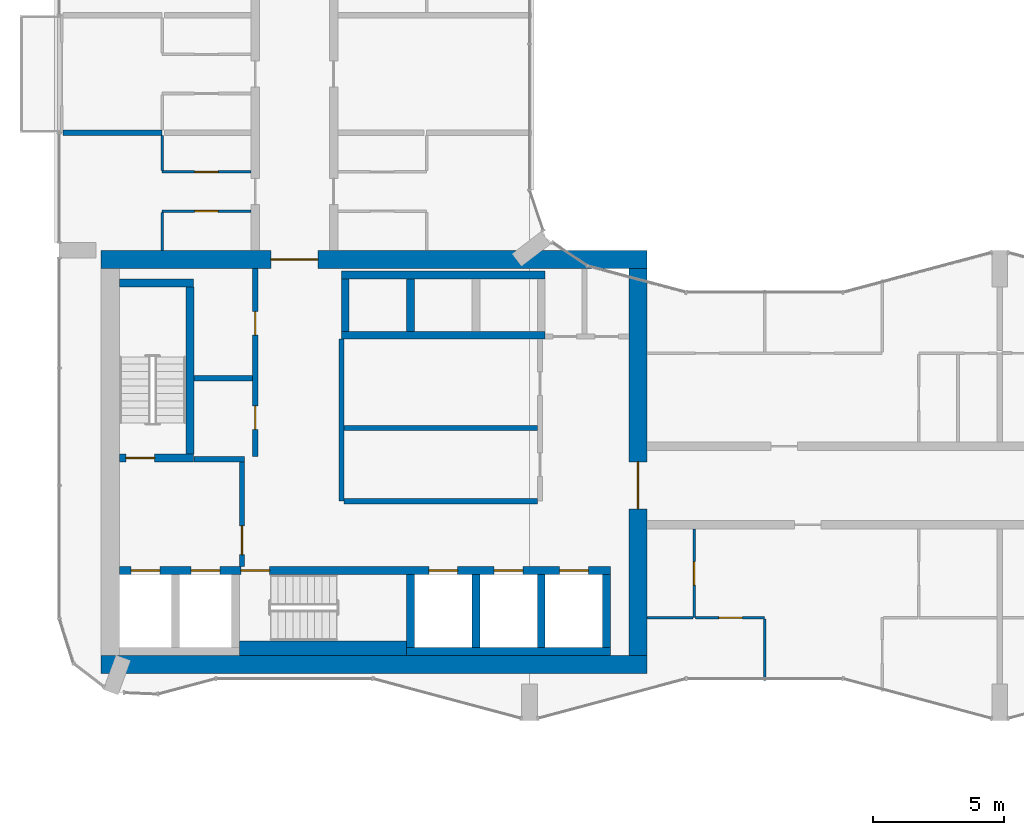
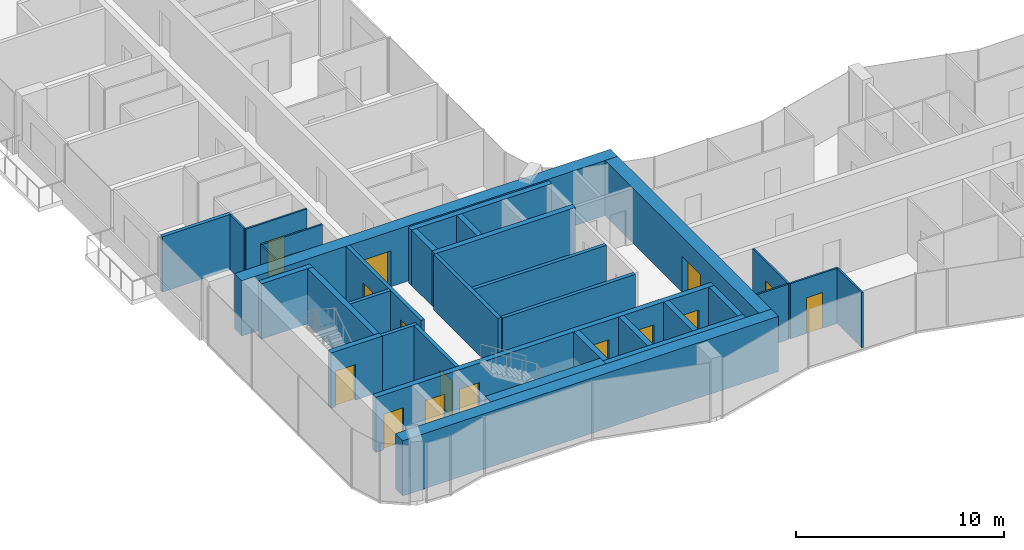
# One storey, part 13 of 23: 33 walls, 16 doors, 16 openings.
"""IFC4 building model written with IfcOpenShell, lengths in metres."""

from ifc_helpers import new_model, si_unit, direction, frame, frame_2d, origin, place, context, subcontext, project, spatial, rectangle, extrude, material, layer, layer_set, type_object, element, fill, save


model = new_model("IFC4")

# Units and contexts
model_context = context("Model", 3, precision=1e-05, world=origin(), true_north=direction((0.0, 1.0)))
body_context = subcontext(model_context, "Body", "Model", "MODEL_VIEW")
ifc_project = project(units=[si_unit("LENGTHUNIT", "METRE"), si_unit("AREAUNIT", "SQUARE_METRE"), si_unit("VOLUMEUNIT", "CUBIC_METRE"), si_unit("PLANEANGLEUNIT", "RADIAN"), si_unit("MASSUNIT", "GRAM", prefix="KILO")], contexts=[model_context])

# Site, building, storey
site_placement = place(None, origin())
site = spatial("IfcSite", under=ifc_project, at=site_placement, CompositionType="ELEMENT")
building_placement = place(site_placement, origin())
building = spatial("IfcBuilding", under=site, at=building_placement, Name="Plateau Cross Towers", CompositionType="ELEMENT")
storey_placement = place(building_placement, frame((0.0, 0.0, 92.300048828125)))
storey = spatial("IfcBuildingStorey", under=building, at=storey_placement, Name="L23", CompositionType="ELEMENT", Elevation=92.300048828125)

# Wall, opening, door
ifc_material_1 = material(Name="Concrete block, plastered both sides", Category="concrete")
ifc_layer_1 = layer(ifc_material_1, 0.199951171875)
ifc_layer_set_1 = layer_set([ifc_layer_1], Name="Concrete block, plastered both sides")
wall_type_1 = type_object("IfcWallType", Name="Core partition 200", PredefinedType="PARTITIONING", material=ifc_layer_set_1)
wall_1_placement = place(storey_placement, frame((7.0, 5.89990234375, 0.0), z_axis=(0.0, 0.0, 1.0), x_axis=(0.0, 1.0, 0.0)))
wall_1 = element("IfcWall", 1, at=wall_1_placement, inside=storey, type_object=wall_type_1, Name="Core partition", PredefinedType="PARTITIONING", context=body_context, shape_type="SweptSolid", body=[
    extrude(rectangle(XDim=4.0, YDim=0.199951171875, at=frame_2d((2.0, 0.0))), origin(), (0.0, 0.0, 1.0), 3.25),
])
opening_1_placement = place(wall_1_placement, frame((0.449951171875, 0.0, 0.0)))
opening_1 = element("IfcOpeningElement", 2, at=opening_1_placement, cuts=wall_1, Name="Opening FFD", PredefinedType="OPENING", context=body_context, shape_type="SweptSolid", body=[
    extrude(rectangle(XDim=1.10009765625, YDim=2.10009765625, at=frame_2d((0.550048828125, 1.050048828125))), frame((0.0, 0.10986328125, 0.0), z_axis=(0.0, -1.0, 0.0), x_axis=(1.0, 0.0, 0.0)), (0.0, 0.0, 1.0), 0.219970703125),
])
ifc_material_2 = material(Name="Steel, fire-resisting leaf", Category="steel")
door_type_1 = type_object("IfcDoorType", Name="Firefighting lobby door 1100", OperationType="NOTDEFINED", PredefinedType="DOOR", material=ifc_material_2)
door_1_placement = place(opening_1_placement, origin())
door_1 = element("IfcDoor", 3, at=door_1_placement, inside=storey, type_object=door_type_1, Name="Firefighting lobby door FFD", OperationType="SINGLE_SWING_LEFT", OverallHeight=2.10009765625, OverallWidth=1.10009765625, PredefinedType="DOOR", context=body_context, shape_type="SweptSolid", body=[
    extrude(rectangle(XDim=1.10009765625, YDim=2.10009765625, at=frame_2d((0.550048828125, 1.050048828125))), frame((0.0, 0.02490234375, 0.0), z_axis=(0.0, -1.0, 0.0), x_axis=(1.0, 0.0, 0.0)), (0.0, 0.0, 1.0), 0.050048828125),
])
fill(opening_1, door_1)

# Walls
wall_2_placement = place(storey_placement, frame((5.14990234375, 10.0, 0.0), z_axis=(0.0, 0.0, 1.0), x_axis=(1.0, 0.0, 0.0)))
element("IfcWall", 4, at=wall_2_placement, inside=storey, type_object=wall_type_1, Name="Core partition", PredefinedType="PARTITIONING", context=body_context, shape_type="SweptSolid", body=[
    extrude(rectangle(XDim=1.9501953125, YDim=0.199951171875, at=frame_2d((0.97509765625, 0.0))), origin(), (0.0, 0.0, 1.0), 3.25),
])
wall_3_placement = place(storey_placement, frame((10.800048828125, 8.39990234375, 0.0), z_axis=(0.0, 0.0, 1.0), x_axis=(0.0, 1.0, 0.0)))
element("IfcWall", 5, at=wall_3_placement, inside=storey, type_object=wall_type_1, Name="Core partition", PredefinedType="PARTITIONING", context=body_context, shape_type="SweptSolid", body=[
    extrude(rectangle(XDim=6.2001953125, YDim=0.199951171875, at=frame_2d((3.10009765625, 0.0))), origin(), (0.0, 0.0, 1.0), 3.25),
])
for number, where, z_axis, x_axis, name in (
    (6, (10.89990234375, 8.39990234375, 0.0), (0.0, 0.0, 1.0), (1.0, 0.0, 0.0), "Core partition"),
    (7, (10.89990234375, 11.199951171875, 0.0), (0.0, 0.0, 1.0), (1.0, 0.0, 0.0), "Core partition"),
):
    element("IfcWall", number, at=place(storey_placement, frame(where, z_axis=z_axis, x_axis=x_axis)), inside=storey, type_object=wall_type_1, Name=name, PredefinedType="PARTITIONING", context=body_context, shape_type="SweptSolid", body=[
        extrude(rectangle(XDim=7.400146484375, YDim=0.199951171875, at=frame_2d((3.7001953125, 0.0))), origin(), (0.0, 0.0, 1.0), 3.25),
    ])

# Wall, openings, doors
wall_4_placement = place(storey_placement, frame((7.5, 10.10009765625, 0.0), z_axis=(0.0, 0.0, 1.0), x_axis=(0.0, 1.0, 0.0)))
wall_4 = element("IfcWall", 8, at=wall_4_placement, inside=storey, type_object=wall_type_1, Name="Core partition", PredefinedType="PARTITIONING", context=body_context, shape_type="SweptSolid", body=[
    extrude(rectangle(XDim=7.199951171875, YDim=0.199951171875, at=frame_2d((3.60009765625, 0.0))), origin(), (0.0, 0.0, 1.0), 3.25),
])
opening_2_placement = place(wall_4_placement, frame((1.050048828125, 0.0, 0.0)))
opening_2 = element("IfcOpeningElement", 9, at=opening_2_placement, cuts=wall_4, Name="Opening RD1", PredefinedType="OPENING", context=body_context, shape_type="SweptSolid", body=[
    extrude(rectangle(XDim=0.89990234375, YDim=2.10009765625, at=frame_2d((0.449951171875, 1.050048828125))), frame((0.0, 0.10986328125, 0.0), z_axis=(0.0, -1.0, 0.0), x_axis=(1.0, 0.0, 0.0)), (0.0, 0.0, 1.0), 0.219970703125),
])
opening_3_placement = place(wall_4_placement, frame((4.64990234375, 0.0, 0.0)))
opening_3 = element("IfcOpeningElement", 10, at=opening_3_placement, cuts=wall_4, Name="Opening RD1", PredefinedType="OPENING", context=body_context, shape_type="SweptSolid", body=[
    extrude(rectangle(XDim=0.89990234375, YDim=2.10009765625, at=frame_2d((0.449951171875, 1.050048828125))), frame((0.0, 0.10986328125, 0.0), z_axis=(0.0, -1.0, 0.0), x_axis=(1.0, 0.0, 0.0)), (0.0, 0.0, 1.0), 0.219970703125),
])
ifc_material_3 = material(Name="Timber, fire-resisting leaf", Category="wood")
door_type_2 = type_object("IfcDoorType", Name="Core service door 900", OperationType="NOTDEFINED", PredefinedType="DOOR", material=ifc_material_3)
door_2_placement = place(opening_2_placement, origin())
door_2 = element("IfcDoor", 11, at=door_2_placement, inside=storey, type_object=door_type_2, Name="Core service door RD1", OperationType="SINGLE_SWING_RIGHT", OverallHeight=2.10009765625, OverallWidth=0.89990234375, PredefinedType="DOOR", context=body_context, shape_type="SweptSolid", body=[
    extrude(rectangle(XDim=0.89990234375, YDim=2.10009765625, at=frame_2d((0.449951171875, 1.050048828125))), frame((0.0, 0.02490234375, 0.0), z_axis=(0.0, -1.0, 0.0), x_axis=(1.0, 0.0, 0.0)), (0.0, 0.0, 1.0), 0.050048828125),
])
fill(opening_2, door_2)
door_3_placement = place(opening_3_placement, origin())
door_3 = element("IfcDoor", 12, at=door_3_placement, inside=storey, type_object=door_type_2, Name="Core service door RD1", OperationType="SINGLE_SWING_RIGHT", OverallHeight=2.10009765625, OverallWidth=0.89990234375, PredefinedType="DOOR", context=body_context, shape_type="SweptSolid", body=[
    extrude(rectangle(XDim=0.89990234375, YDim=2.10009765625, at=frame_2d((0.449951171875, 1.050048828125))), frame((0.0, 0.02490234375, 0.0), z_axis=(0.0, -1.0, 0.0), x_axis=(1.0, 0.0, 0.0)), (0.0, 0.0, 1.0), 0.050048828125),
])
fill(opening_3, door_3)

# Walls
wall_5_placement = place(storey_placement, frame((5.14990234375, 13.10009765625, 0.0), z_axis=(0.0, 0.0, 1.0), x_axis=(1.0, 0.0, 0.0)))
element("IfcWall", 13, at=wall_5_placement, inside=storey, type_object=wall_type_1, Name="Core partition", PredefinedType="PARTITIONING", context=body_context, shape_type="SweptSolid", body=[
    extrude(rectangle(XDim=2.25, YDim=0.199951171875, at=frame_2d((1.125, 0.0))), origin(), (0.0, 0.0, 1.0), 3.25),
])
ifc_material_4 = material(Name="Concrete C60/75", Category="concrete")
ifc_layer_2 = layer(ifc_material_4, 0.300048828125)
ifc_layer_set_2 = layer_set([ifc_layer_2], Name="Concrete C60/75")
wall_type_2 = type_object("IfcWallType", Name="Core shaft wall 300", PredefinedType="SHEAR", material=ifc_layer_set_2)
wall_6_placement = place(storey_placement, frame((13.300048828125, 2.64990234375, 0.0), z_axis=(0.0, 0.0, 1.0), x_axis=(1.0, 0.0, 0.0)))
element("IfcWall", 14, at=wall_6_placement, inside=storey, type_object=wall_type_2, Name="A-sb-back3@L23", PredefinedType="SHEAR", context=body_context, shape_type="SweptSolid", body=[
    extrude(rectangle(XDim=7.800048828125, YDim=0.300048828125, at=frame_2d((3.89990234375, 0.0))), origin(), (0.0, 0.0, 1.0), 3.25),
])
for number, where, z_axis, x_axis, name in (
    (15, (13.449951171875, 2.800048828125, 0.0), (0.0, 0.0, 1.0), (0.0, 1.0, 0.0), "A-sb-v3@L23"),
    (16, (15.949951171875, 2.800048828125, 0.0), (0.0, 0.0, 1.0), (0.0, 1.0, 0.0), "A-sb-v4@L23"),
    (17, (18.449951171875, 2.800048828125, 0.0), (0.0, 0.0, 1.0), (0.0, 1.0, 0.0), "A-sb-v5@L23"),
    (18, (20.949951171875, 2.800048828125, 0.0), (0.0, 0.0, 1.0), (0.0, 1.0, 0.0), "A-sb-v6@L23"),
):
    element("IfcWall", number, at=place(storey_placement, frame(where, z_axis=z_axis, x_axis=x_axis)), inside=storey, type_object=wall_type_2, Name=name, PredefinedType="SHEAR", context=body_context, shape_type="SweptSolid", body=[
        extrude(rectangle(XDim=2.800048828125, YDim=0.300048828125, at=frame_2d((1.39990234375, 0.0))), origin(), (0.0, 0.0, 1.0), 3.25),
    ])

# Wall, openings, doors
wall_7_placement = place(storey_placement, frame((2.300048828125, 5.75, 0.0), z_axis=(0.0, 0.0, 1.0), x_axis=(1.0, 0.0, 0.0)))
wall_7 = element("IfcWall", 19, at=wall_7_placement, inside=storey, type_object=wall_type_2, Name="A-sb-front@L23", PredefinedType="SHEAR", context=body_context, shape_type="SweptSolid", body=[
    extrude(rectangle(XDim=18.800048828125, YDim=0.300048828125, at=frame_2d((9.39990234375, 0.0))), origin(), (0.0, 0.0, 1.0), 3.25),
])
opening_4_placement = place(wall_7_placement, frame((4.64990234375, 0.0, 0.0)))
opening_4 = element("IfcOpeningElement", 20, at=opening_4_placement, cuts=wall_7, Name="Opening SD", PredefinedType="OPENING", context=body_context, shape_type="SweptSolid", body=[
    extrude(rectangle(XDim=1.10009765625, YDim=2.10009765625, at=frame_2d((0.550048828125, 1.050048828125))), frame((0.0, 0.159912109375, 0.0), z_axis=(0.0, -1.0, 0.0), x_axis=(1.0, 0.0, 0.0)), (0.0, 0.0, 1.0), 0.320068359375),
])
opening_5_placement = place(wall_7_placement, frame((0.449951171875, 0.0, 0.0)))
opening_5 = element("IfcOpeningElement", 21, at=opening_5_placement, cuts=wall_7, Name="Opening LD", PredefinedType="OPENING", context=body_context, shape_type="SweptSolid", body=[
    extrude(rectangle(XDim=1.10009765625, YDim=2.10009765625, at=frame_2d((0.550048828125, 1.050048828125))), frame((0.0, 0.159912109375, 0.0), z_axis=(0.0, -1.0, 0.0), x_axis=(1.0, 0.0, 0.0)), (0.0, 0.0, 1.0), 0.320068359375),
])
opening_6_placement = place(wall_7_placement, frame((2.75, 0.0, 0.0)))
opening_6 = element("IfcOpeningElement", 22, at=opening_6_placement, cuts=wall_7, Name="Opening LD", PredefinedType="OPENING", context=body_context, shape_type="SweptSolid", body=[
    extrude(rectangle(XDim=1.10009765625, YDim=2.10009765625, at=frame_2d((0.550048828125, 1.050048828125))), frame((0.0, 0.159912109375, 0.0), z_axis=(0.0, -1.0, 0.0), x_axis=(1.0, 0.0, 0.0)), (0.0, 0.0, 1.0), 0.320068359375),
])
opening_7_placement = place(wall_7_placement, frame((11.85009765625, 0.0, 0.0)))
opening_7 = element("IfcOpeningElement", 23, at=opening_7_placement, cuts=wall_7, Name="Opening LD", PredefinedType="OPENING", context=body_context, shape_type="SweptSolid", body=[
    extrude(rectangle(XDim=1.10009765625, YDim=2.10009765625, at=frame_2d((0.550048828125, 1.050048828125))), frame((0.0, 0.159912109375, 0.0), z_axis=(0.0, -1.0, 0.0), x_axis=(1.0, 0.0, 0.0)), (0.0, 0.0, 1.0), 0.320068359375),
])
opening_8_placement = place(wall_7_placement, frame((14.35009765625, 0.0, 0.0)))
opening_8 = element("IfcOpeningElement", 24, at=opening_8_placement, cuts=wall_7, Name="Opening LD", PredefinedType="OPENING", context=body_context, shape_type="SweptSolid", body=[
    extrude(rectangle(XDim=1.10009765625, YDim=2.10009765625, at=frame_2d((0.550048828125, 1.050048828125))), frame((0.0, 0.159912109375, 0.0), z_axis=(0.0, -1.0, 0.0), x_axis=(1.0, 0.0, 0.0)), (0.0, 0.0, 1.0), 0.320068359375),
])
opening_9_placement = place(wall_7_placement, frame((16.85009765625, 0.0, 0.0)))
opening_9 = element("IfcOpeningElement", 25, at=opening_9_placement, cuts=wall_7, Name="Opening LD", PredefinedType="OPENING", context=body_context, shape_type="SweptSolid", body=[
    extrude(rectangle(XDim=1.10009765625, YDim=2.10009765625, at=frame_2d((0.550048828125, 1.050048828125))), frame((0.0, 0.159912109375, 0.0), z_axis=(0.0, -1.0, 0.0), x_axis=(1.0, 0.0, 0.0)), (0.0, 0.0, 1.0), 0.320068359375),
])
ifc_material_5 = material(Name="Stainless steel, fire-resisting sliding leaves", Category="steel")
door_type_3 = type_object("IfcDoorType", Name="Lift landing door 1100", OperationType="NOTDEFINED", PredefinedType="DOOR", material=ifc_material_5)
door_4_placement = place(opening_5_placement, origin())
door_4 = element("IfcDoor", 26, at=door_4_placement, inside=storey, type_object=door_type_3, Name="Lift landing door LD", OperationType="DOUBLE_DOOR_SLIDING", OverallHeight=2.10009765625, OverallWidth=1.10009765625, PredefinedType="DOOR", context=body_context, shape_type="SweptSolid", body=[
    extrude(rectangle(XDim=1.10009765625, YDim=2.10009765625, at=frame_2d((0.550048828125, 1.050048828125))), frame((0.0, 0.02490234375, 0.0), z_axis=(0.0, -1.0, 0.0), x_axis=(1.0, 0.0, 0.0)), (0.0, 0.0, 1.0), 0.050048828125),
])
fill(opening_5, door_4)
door_5_placement = place(opening_6_placement, origin())
door_5 = element("IfcDoor", 27, at=door_5_placement, inside=storey, type_object=door_type_3, Name="Lift landing door LD", OperationType="DOUBLE_DOOR_SLIDING", OverallHeight=2.10009765625, OverallWidth=1.10009765625, PredefinedType="DOOR", context=body_context, shape_type="SweptSolid", body=[
    extrude(rectangle(XDim=1.10009765625, YDim=2.10009765625, at=frame_2d((0.550048828125, 1.050048828125))), frame((0.0, 0.02490234375, 0.0), z_axis=(0.0, -1.0, 0.0), x_axis=(1.0, 0.0, 0.0)), (0.0, 0.0, 1.0), 0.050048828125),
])
fill(opening_6, door_5)
door_6_placement = place(opening_7_placement, origin())
door_6 = element("IfcDoor", 28, at=door_6_placement, inside=storey, type_object=door_type_3, Name="Lift landing door LD", OperationType="DOUBLE_DOOR_SLIDING", OverallHeight=2.10009765625, OverallWidth=1.10009765625, PredefinedType="DOOR", context=body_context, shape_type="SweptSolid", body=[
    extrude(rectangle(XDim=1.10009765625, YDim=2.10009765625, at=frame_2d((0.550048828125, 1.050048828125))), frame((0.0, 0.02490234375, 0.0), z_axis=(0.0, -1.0, 0.0), x_axis=(1.0, 0.0, 0.0)), (0.0, 0.0, 1.0), 0.050048828125),
])
fill(opening_7, door_6)
door_7_placement = place(opening_8_placement, origin())
door_7 = element("IfcDoor", 29, at=door_7_placement, inside=storey, type_object=door_type_3, Name="Lift landing door LD", OperationType="DOUBLE_DOOR_SLIDING", OverallHeight=2.10009765625, OverallWidth=1.10009765625, PredefinedType="DOOR", context=body_context, shape_type="SweptSolid", body=[
    extrude(rectangle(XDim=1.10009765625, YDim=2.10009765625, at=frame_2d((0.550048828125, 1.050048828125))), frame((0.0, 0.02490234375, 0.0), z_axis=(0.0, -1.0, 0.0), x_axis=(1.0, 0.0, 0.0)), (0.0, 0.0, 1.0), 0.050048828125),
])
fill(opening_8, door_7)
door_8_placement = place(opening_9_placement, origin())
door_8 = element("IfcDoor", 30, at=door_8_placement, inside=storey, type_object=door_type_3, Name="Lift landing door LD", OperationType="DOUBLE_DOOR_SLIDING", OverallHeight=2.10009765625, OverallWidth=1.10009765625, PredefinedType="DOOR", context=body_context, shape_type="SweptSolid", body=[
    extrude(rectangle(XDim=1.10009765625, YDim=2.10009765625, at=frame_2d((0.550048828125, 1.050048828125))), frame((0.0, 0.02490234375, 0.0), z_axis=(0.0, -1.0, 0.0), x_axis=(1.0, 0.0, 0.0)), (0.0, 0.0, 1.0), 0.050048828125),
])
fill(opening_9, door_8)
door_type_4 = type_object("IfcDoorType", Name="Stair door 1100", OperationType="NOTDEFINED", PredefinedType="DOOR", material=ifc_material_2)
door_9_placement = place(opening_4_placement, origin())
door_9 = element("IfcDoor", 31, at=door_9_placement, inside=storey, type_object=door_type_4, Name="Stair door SD", OperationType="SINGLE_SWING_LEFT", OverallHeight=2.10009765625, OverallWidth=1.10009765625, PredefinedType="DOOR", context=body_context, shape_type="SweptSolid", body=[
    extrude(rectangle(XDim=1.10009765625, YDim=2.10009765625, at=frame_2d((0.550048828125, 1.050048828125))), frame((0.0, 0.02490234375, 0.0), z_axis=(0.0, -1.0, 0.0), x_axis=(1.0, 0.0, 0.0)), (0.0, 0.0, 1.0), 0.050048828125),
])
fill(opening_4, door_9)

# Wall, opening, door
wall_8_placement = place(storey_placement, frame((2.300048828125, 10.050048828125, 0.0), z_axis=(0.0, 0.0, 1.0), x_axis=(1.0, 0.0, 0.0)))
wall_8 = element("IfcWall", 32, at=wall_8_placement, inside=storey, type_object=wall_type_2, Name="A-st1-S@L23", PredefinedType="SHEAR", context=body_context, shape_type="SweptSolid", body=[
    extrude(rectangle(XDim=2.849853515625, YDim=0.300048828125, at=frame_2d((1.4248046875, 0.0))), origin(), (0.0, 0.0, 1.0), 3.25),
])
opening_10_placement = place(wall_8_placement, frame((0.25, 0.0, 0.0)))
opening_10 = element("IfcOpeningElement", 33, at=opening_10_placement, cuts=wall_8, Name="Opening SD", PredefinedType="OPENING", context=body_context, shape_type="SweptSolid", body=[
    extrude(rectangle(XDim=1.10009765625, YDim=2.10009765625, at=frame_2d((0.550048828125, 1.050048828125))), frame((0.0, 0.159912109375, 0.0), z_axis=(0.0, -1.0, 0.0), x_axis=(1.0, 0.0, 0.0)), (0.0, 0.0, 1.0), 0.320068359375),
])
door_10_placement = place(opening_10_placement, origin())
door_10 = element("IfcDoor", 34, at=door_10_placement, inside=storey, type_object=door_type_4, Name="Stair door SD", OperationType="SINGLE_SWING_RIGHT", OverallHeight=2.10009765625, OverallWidth=1.10009765625, PredefinedType="DOOR", context=body_context, shape_type="SweptSolid", body=[
    extrude(rectangle(XDim=1.10009765625, YDim=2.10009765625, at=frame_2d((0.550048828125, 1.050048828125))), frame((0.0, 0.02490234375, 0.0), z_axis=(0.0, -1.0, 0.0), x_axis=(1.0, 0.0, 0.0)), (0.0, 0.0, 1.0), 0.050048828125),
])
fill(opening_10, door_10)

# Walls
wall_9_placement = place(storey_placement, frame((5.0, 10.199951171875, 0.0), z_axis=(0.0, 0.0, 1.0), x_axis=(0.0, 1.0, 0.0)))
element("IfcWall", 35, at=wall_9_placement, inside=storey, type_object=wall_type_2, Name="A-st1-E@L23", PredefinedType="SHEAR", context=body_context, shape_type="SweptSolid", body=[
    extrude(rectangle(XDim=6.400146484375, YDim=0.300048828125, at=frame_2d((3.2001953125, 0.0))), origin(), (0.0, 0.0, 1.0), 3.25),
])
wall_10_placement = place(storey_placement, frame((2.300048828125, 16.75, 0.0), z_axis=(0.0, 0.0, 1.0), x_axis=(1.0, 0.0, 0.0)))
element("IfcWall", 36, at=wall_10_placement, inside=storey, type_object=wall_type_2, Name="A-st1-N@L23", PredefinedType="SHEAR", context=body_context, shape_type="SweptSolid", body=[
    extrude(rectangle(XDim=2.849853515625, YDim=0.300048828125, at=frame_2d((1.4248046875, 0.0))), origin(), (0.0, 0.0, 1.0), 3.25),
])
for number, where, z_axis, x_axis, name in (
    (37, (10.800048828125, 17.050048828125, 0.0), (0.0, 0.0, 1.0), (1.0, 0.0, 0.0), "A-nb-back@L23"),
    (38, (10.800048828125, 14.75, 0.0), (0.0, 0.0, 1.0), (1.0, 0.0, 0.0), "A-nb-front@L23"),
):
    element("IfcWall", number, at=place(storey_placement, frame(where, z_axis=z_axis, x_axis=x_axis)), inside=storey, type_object=wall_type_2, Name=name, PredefinedType="SHEAR", context=body_context, shape_type="SweptSolid", body=[
        extrude(rectangle(XDim=7.800048828125, YDim=0.300048828125, at=frame_2d((3.89990234375, 0.0))), origin(), (0.0, 0.0, 1.0), 3.25),
    ])
for number, where, z_axis, x_axis, name in (
    (39, (10.949951171875, 14.89990234375, 0.0), (0.0, 0.0, 1.0), (0.0, 1.0, 0.0), "A-nb-v1@L23"),
    (40, (13.449951171875, 14.89990234375, 0.0), (0.0, 0.0, 1.0), (0.0, 1.0, 0.0), "A-nb-v2@L23"),
):
    element("IfcWall", number, at=place(storey_placement, frame(where, z_axis=z_axis, x_axis=x_axis)), inside=storey, type_object=wall_type_2, Name=name, PredefinedType="SHEAR", context=body_context, shape_type="SweptSolid", body=[
        extrude(rectangle(XDim=2.0, YDim=0.300048828125, at=frame_2d((1.0, 0.0))), origin(), (0.0, 0.0, 1.0), 3.25),
    ])
ifc_layer_3 = layer(ifc_material_4, 0.550048828125)
ifc_layer_set_3 = layer_set([ifc_layer_3], Name="Concrete C60/75")
wall_type_3 = type_object("IfcWallType", Name="Core shaft wall 550", PredefinedType="SHEAR", material=ifc_layer_set_3)
wall_11_placement = place(storey_placement, frame((6.89990234375, 2.77490234375, 0.0), z_axis=(0.0, 0.0, 1.0), x_axis=(1.0, 0.0, 0.0)))
element("IfcWall", 41, at=wall_11_placement, inside=storey, type_object=wall_type_3, Name="A-sb-back2@L23", PredefinedType="SHEAR", context=body_context, shape_type="SweptSolid", body=[
    extrude(rectangle(XDim=6.400146484375, YDim=0.550048828125, at=frame_2d((3.2001953125, 0.0))), origin(), (0.0, 0.0, 1.0), 3.25),
])
ifc_layer_4 = layer(ifc_material_4, 0.699951171875)
ifc_layer_set_4 = layer_set([ifc_layer_4], Name="Concrete C60/75")
wall_type_4 = type_object("IfcWallType", Name="Core shell wall 700", PredefinedType="SHEAR", material=ifc_layer_set_4)
wall_12_placement = place(storey_placement, frame((1.60009765625, 2.14990234375, 0.0), z_axis=(0.0, 0.0, 1.0), x_axis=(1.0, 0.0, 0.0)))
element("IfcWall", 42, at=wall_12_placement, inside=storey, type_object=wall_type_4, Name="A-core-S@L23", PredefinedType="SHEAR", context=body_context, shape_type="SweptSolid", body=[
    extrude(rectangle(XDim=20.89990234375, YDim=0.699951171875, at=frame_2d((10.449951171875, 0.0))), origin(), (0.0, 0.0, 1.0), 3.25),
])

# Wall, opening, door
wall_13_placement = place(storey_placement, frame((1.60009765625, 17.64990234375, 0.0), z_axis=(0.0, 0.0, 1.0), x_axis=(1.0, 0.0, 0.0)))
wall_13 = element("IfcWall", 43, at=wall_13_placement, inside=storey, type_object=wall_type_4, Name="A-core-N@L23", PredefinedType="SHEAR", context=body_context, shape_type="SweptSolid", body=[
    extrude(rectangle(XDim=20.89990234375, YDim=0.699951171875, at=frame_2d((10.449951171875, 0.0))), origin(), (0.0, 0.0, 1.0), 3.25),
])
opening_11_placement = place(wall_13_placement, frame((6.5, 0.0, 0.0)))
opening_11 = element("IfcOpeningElement", 44, at=opening_11_placement, cuts=wall_13, Name="Opening CD", PredefinedType="OPENING", context=body_context, shape_type="SweptSolid", body=[
    extrude(rectangle(XDim=1.800048828125, YDim=2.10009765625, at=frame_2d((0.89990234375, 1.050048828125))), frame((0.0, 0.35986328125, 0.0), z_axis=(0.0, -1.0, 0.0), x_axis=(1.0, 0.0, 0.0)), (0.0, 0.0, 1.0), 0.719970703125),
])
ifc_material_6 = material(Name="Steel, fire-resisting leaves", Category="steel")
door_type_5 = type_object("IfcDoorType", Name="Corridor door pair 1800", OperationType="NOTDEFINED", PredefinedType="DOOR", material=ifc_material_6)
door_11_placement = place(opening_11_placement, origin())
door_11 = element("IfcDoor", 45, at=door_11_placement, inside=storey, type_object=door_type_5, Name="Corridor door pair CD", OperationType="DOUBLE_DOOR_SINGLE_SWING", OverallHeight=2.10009765625, OverallWidth=1.800048828125, PredefinedType="DOOR", context=body_context, shape_type="SweptSolid", body=[
    extrude(rectangle(XDim=1.800048828125, YDim=2.10009765625, at=frame_2d((0.89990234375, 1.050048828125))), frame((0.0, 0.02490234375, 0.0), z_axis=(0.0, -1.0, 0.0), x_axis=(1.0, 0.0, 0.0)), (0.0, 0.0, 1.0), 0.050048828125),
])
fill(opening_11, door_11)

wall_14_placement = place(storey_placement, frame((22.14990234375, 2.5, 0.0), z_axis=(0.0, 0.0, 1.0), x_axis=(0.0, 1.0, 0.0)))
wall_14 = element("IfcWall", 46, at=wall_14_placement, inside=storey, type_object=wall_type_4, Name="A-core-E@L23", PredefinedType="SHEAR", context=body_context, shape_type="SweptSolid", body=[
    extrude(rectangle(XDim=14.800048828125, YDim=0.699951171875, at=frame_2d((7.39990234375, 0.0))), origin(), (0.0, 0.0, 1.0), 3.25),
])
opening_12_placement = place(wall_14_placement, frame((5.60009765625, 0.0, 0.0)))
opening_12 = element("IfcOpeningElement", 47, at=opening_12_placement, cuts=wall_14, Name="Opening CD", PredefinedType="OPENING", context=body_context, shape_type="SweptSolid", body=[
    extrude(rectangle(XDim=1.800048828125, YDim=2.10009765625, at=frame_2d((0.89990234375, 1.050048828125))), frame((0.0, 0.35986328125, 0.0), z_axis=(0.0, -1.0, 0.0), x_axis=(1.0, 0.0, 0.0)), (0.0, 0.0, 1.0), 0.719970703125),
])
door_12_placement = place(opening_12_placement, origin())
door_12 = element("IfcDoor", 48, at=door_12_placement, inside=storey, type_object=door_type_5, Name="Corridor door pair CD", OperationType="DOUBLE_DOOR_SINGLE_SWING", OverallHeight=2.10009765625, OverallWidth=1.800048828125, PredefinedType="DOOR", context=body_context, shape_type="SweptSolid", body=[
    extrude(rectangle(XDim=1.800048828125, YDim=2.10009765625, at=frame_2d((0.89990234375, 1.050048828125))), frame((0.0, 0.02490234375, 0.0), z_axis=(0.0, -1.0, 0.0), x_axis=(1.0, 0.0, 0.0)), (0.0, 0.0, 1.0), 0.050048828125),
])
fill(opening_12, door_12)

ifc_material_7 = material(Name="Gypsum board on steel studs", Category="steel")
ifc_layer_5 = layer(ifc_material_7, 0.10009765625)
ifc_layer_set_5 = layer_set([ifc_layer_5], Name="Gypsum board on steel studs")
wall_type_5 = type_object("IfcWallType", Name="Flat partition 100", PredefinedType="PARTITIONING", material=ifc_layer_set_5)
wall_15_placement = place(storey_placement, frame((27.0, 3.9375, 0.0), z_axis=(0.0, 0.0, 1.0), x_axis=(-1.0, 0.0, 0.0)))
wall_15 = element("IfcWall", 49, at=wall_15_placement, inside=storey, type_object=wall_type_5, Name="Partition wall", PredefinedType="PARTITIONING", context=body_context, shape_type="SweptSolid", body=[
    extrude(rectangle(XDim=2.64990234375, YDim=0.10009765625, at=frame_2d((1.324951171875, 0.0))), origin(), (0.0, 0.0, 1.0), 3.25),
])
opening_13_placement = place(wall_15_placement, frame((0.85009765625, 0.0, 0.0)))
opening_13 = element("IfcOpeningElement", 50, at=opening_13_placement, cuts=wall_15, Name="Opening 23-20", PredefinedType="OPENING", context=body_context, shape_type="SweptSolid", body=[
    extrude(rectangle(XDim=0.89990234375, YDim=2.10009765625, at=frame_2d((0.449951171875, 1.050048828125))), frame((0.0, 0.06005859375, 0.0), z_axis=(0.0, -1.0, 0.0), x_axis=(1.0, 0.0, 0.0)), (0.0, 0.0, 1.0), 0.1201171875),
])
ifc_material_8 = material(Name="Timber leaf", Category="wood")
door_type_6 = type_object("IfcDoorType", Name="Flat room door 900", OperationType="NOTDEFINED", PredefinedType="DOOR", material=ifc_material_8)
door_13_placement = place(opening_13_placement, origin())
door_13 = element("IfcDoor", 51, at=door_13_placement, inside=storey, type_object=door_type_6, Name="Door 23-20", OperationType="SINGLE_SWING_LEFT", OverallHeight=2.10009765625, OverallWidth=0.89990234375, PredefinedType="DOOR", context=body_context, shape_type="SweptSolid", body=[
    extrude(rectangle(XDim=0.89990234375, YDim=2.10009765625, at=frame_2d((0.449951171875, 1.050048828125))), frame((0.0, 0.02490234375, 0.0), z_axis=(0.0, -1.0, 0.0), x_axis=(1.0, 0.0, 0.0)), (0.0, 0.0, 1.0), 0.050048828125),
])
fill(opening_13, door_13)

# Wall
wall_16_placement = place(storey_placement, frame((22.5, 3.9375, 0.0), z_axis=(0.0, 0.0, 1.0), x_axis=(1.0, 0.0, 0.0)))
element("IfcWall", 52, at=wall_16_placement, inside=storey, type_object=wall_type_5, Name="Partition wall", PredefinedType="PARTITIONING", context=body_context, shape_type="SweptSolid", body=[
    extrude(rectangle(XDim=1.75, YDim=0.10009765625, at=frame_2d((0.875, 0.0))), origin(), (0.0, 0.0, 1.0), 3.25),
])

# Wall, opening, door
wall_17_placement = place(storey_placement, frame((7.33740234375, 19.5, 0.0), z_axis=(0.0, 0.0, 1.0), x_axis=(-1.0, 0.0, 0.0)))
wall_17 = element("IfcWall", 53, at=wall_17_placement, inside=storey, type_object=wall_type_5, Name="Partition wall", PredefinedType="PARTITIONING", context=body_context, shape_type="SweptSolid", body=[
    extrude(rectangle(XDim=3.39990234375, YDim=0.10009765625, at=frame_2d((1.699951171875, 0.0))), origin(), (0.0, 0.0, 1.0), 3.25),
])
opening_14_placement = place(wall_17_placement, frame((1.25, 0.0, 0.0)))
opening_14 = element("IfcOpeningElement", 54, at=opening_14_placement, cuts=wall_17, Name="Opening 23-33", PredefinedType="OPENING", context=body_context, shape_type="SweptSolid", body=[
    extrude(rectangle(XDim=0.89990234375, YDim=2.10009765625, at=frame_2d((0.449951171875, 1.050048828125))), frame((0.0, 0.06005859375, 0.0), z_axis=(0.0, -1.0, 0.0), x_axis=(1.0, 0.0, 0.0)), (0.0, 0.0, 1.0), 0.1201171875),
])
door_14_placement = place(opening_14_placement, origin())
door_14 = element("IfcDoor", 55, at=door_14_placement, inside=storey, type_object=door_type_6, Name="Door 23-33", OperationType="SINGLE_SWING_LEFT", OverallHeight=2.10009765625, OverallWidth=0.89990234375, PredefinedType="DOOR", context=body_context, shape_type="SweptSolid", body=[
    extrude(rectangle(XDim=0.89990234375, YDim=2.10009765625, at=frame_2d((0.449951171875, 1.050048828125))), frame((0.0, 0.02490234375, 0.0), z_axis=(0.0, -1.0, 0.0), x_axis=(1.0, 0.0, 0.0)), (0.0, 0.0, 1.0), 0.050048828125),
])
fill(opening_14, door_14)

wall_18_placement = place(storey_placement, frame((3.9375, 21.0, 0.0), z_axis=(0.0, 0.0, 1.0), x_axis=(1.0, 0.0, 0.0)))
wall_18 = element("IfcWall", 56, at=wall_18_placement, inside=storey, type_object=wall_type_5, Name="Partition wall", PredefinedType="PARTITIONING", context=body_context, shape_type="SweptSolid", body=[
    extrude(rectangle(XDim=3.39990234375, YDim=0.10009765625, at=frame_2d((1.699951171875, 0.0))), origin(), (0.0, 0.0, 1.0), 3.25),
])
opening_15_placement = place(wall_18_placement, frame((1.25, 0.0, 0.0)))
opening_15 = element("IfcOpeningElement", 57, at=opening_15_placement, cuts=wall_18, Name="Opening 23-34", PredefinedType="OPENING", context=body_context, shape_type="SweptSolid", body=[
    extrude(rectangle(XDim=0.89990234375, YDim=2.10009765625, at=frame_2d((0.449951171875, 1.050048828125))), frame((0.0, 0.06005859375, 0.0), z_axis=(0.0, -1.0, 0.0), x_axis=(1.0, 0.0, 0.0)), (0.0, 0.0, 1.0), 0.1201171875),
])
door_15_placement = place(opening_15_placement, origin())
door_15 = element("IfcDoor", 58, at=door_15_placement, inside=storey, type_object=door_type_6, Name="Door 23-34", OperationType="SINGLE_SWING_LEFT", OverallHeight=2.10009765625, OverallWidth=0.89990234375, PredefinedType="DOOR", context=body_context, shape_type="SweptSolid", body=[
    extrude(rectangle(XDim=0.89990234375, YDim=2.10009765625, at=frame_2d((0.449951171875, 1.050048828125))), frame((0.0, 0.02490234375, 0.0), z_axis=(0.0, -1.0, 0.0), x_axis=(1.0, 0.0, 0.0)), (0.0, 0.0, 1.0), 0.050048828125),
])
fill(opening_15, door_15)

# Walls
wall_19_placement = place(storey_placement, frame((3.9375, 19.449951171875, 0.0), z_axis=(0.0, 0.0, 1.0), x_axis=(0.0, -1.0, 0.0)))
element("IfcWall", 59, at=wall_19_placement, inside=storey, type_object=wall_type_5, Name="Partition wall", PredefinedType="PARTITIONING", context=body_context, shape_type="SweptSolid", body=[
    extrude(rectangle(XDim=1.449951171875, YDim=0.10009765625, at=frame_2d((0.72509765625, 0.0))), origin(), (0.0, 0.0, 1.0), 3.25),
])
wall_20_placement = place(storey_placement, frame((3.9375, 22.39990234375, 0.0), z_axis=(0.0, 0.0, 1.0), x_axis=(0.0, -1.0, 0.0)))
element("IfcWall", 60, at=wall_20_placement, inside=storey, type_object=wall_type_5, Name="Partition wall", PredefinedType="PARTITIONING", context=body_context, shape_type="SweptSolid", body=[
    extrude(rectangle(XDim=1.349853515625, YDim=0.10009765625, at=frame_2d((0.6748046875, 0.0))), origin(), (0.0, 0.0, 1.0), 3.25),
])

# Wall, opening, door
wall_21_placement = place(storey_placement, frame((24.300048828125, 3.9375, 0.0), z_axis=(0.0, 0.0, 1.0), x_axis=(0.0, 1.0, 0.0)))
wall_21 = element("IfcWall", 61, at=wall_21_placement, inside=storey, type_object=wall_type_5, Name="Partition wall", PredefinedType="PARTITIONING", context=body_context, shape_type="SweptSolid", body=[
    extrude(rectangle(XDim=3.39990234375, YDim=0.10009765625, at=frame_2d((1.699951171875, 0.0))), origin(), (0.0, 0.0, 1.0), 3.25),
])
opening_16_placement = place(wall_21_placement, frame((1.25, 0.0, 0.0)))
opening_16 = element("IfcOpeningElement", 62, at=opening_16_placement, cuts=wall_21, Name="Opening 23-18", PredefinedType="OPENING", context=body_context, shape_type="SweptSolid", body=[
    extrude(rectangle(XDim=0.89990234375, YDim=2.10009765625, at=frame_2d((0.449951171875, 1.050048828125))), frame((0.0, 0.06005859375, 0.0), z_axis=(0.0, -1.0, 0.0), x_axis=(1.0, 0.0, 0.0)), (0.0, 0.0, 1.0), 0.1201171875),
])
door_16_placement = place(opening_16_placement, origin())
door_16 = element("IfcDoor", 63, at=door_16_placement, inside=storey, type_object=door_type_6, Name="Door 23-18", OperationType="SINGLE_SWING_LEFT", OverallHeight=2.10009765625, OverallWidth=0.89990234375, PredefinedType="DOOR", context=body_context, shape_type="SweptSolid", body=[
    extrude(rectangle(XDim=0.89990234375, YDim=2.10009765625, at=frame_2d((0.449951171875, 1.050048828125))), frame((0.0, 0.02490234375, 0.0), z_axis=(0.0, -1.0, 0.0), x_axis=(1.0, 0.0, 0.0)), (0.0, 0.0, 1.0), 0.050048828125),
])
fill(opening_16, door_16)

# Walls
wall_22_placement = place(storey_placement, frame((27.0, 1.52685546875, 0.0), z_axis=(0.0, 0.0, 1.0), x_axis=(0.0, 1.0, 0.0)))
element("IfcWall", 64, at=wall_22_placement, inside=storey, type_object=wall_type_5, Name="Partition wall", PredefinedType="PARTITIONING", context=body_context, shape_type="SweptSolid", body=[
    extrude(rectangle(XDim=2.360595703125, YDim=0.10009765625, at=frame_2d((1.18017578125, 0.0))), origin(), (0.0, 0.0, 1.0), 3.25),
])
ifc_material_9 = material(Name="Gypsum board on steel studs, two layers each side", Category="steel")
ifc_layer_6 = layer(ifc_material_9, 0.199951171875)
ifc_layer_set_6 = layer_set([ifc_layer_6], Name="Gypsum board on steel studs, two layers each side")
wall_type_6 = type_object("IfcWallType", Name="Flat party wall 200", PredefinedType="PARTITIONING", material=ifc_layer_set_6)
wall_23_placement = place(storey_placement, frame((0.14990234375, 22.5, 0.0), z_axis=(0.0, 0.0, 1.0), x_axis=(1.0, 0.0, 0.0)))
element("IfcWall", 65, at=wall_23_placement, inside=storey, type_object=wall_type_6, Name="Party wall", PredefinedType="PARTITIONING", context=body_context, shape_type="SweptSolid", body=[
    extrude(rectangle(XDim=3.78759765625, YDim=0.199951171875, at=frame_2d((1.893798828125, 0.0))), origin(), (0.0, 0.0, 1.0), 3.25),
])

save(model, "model.ifc")
